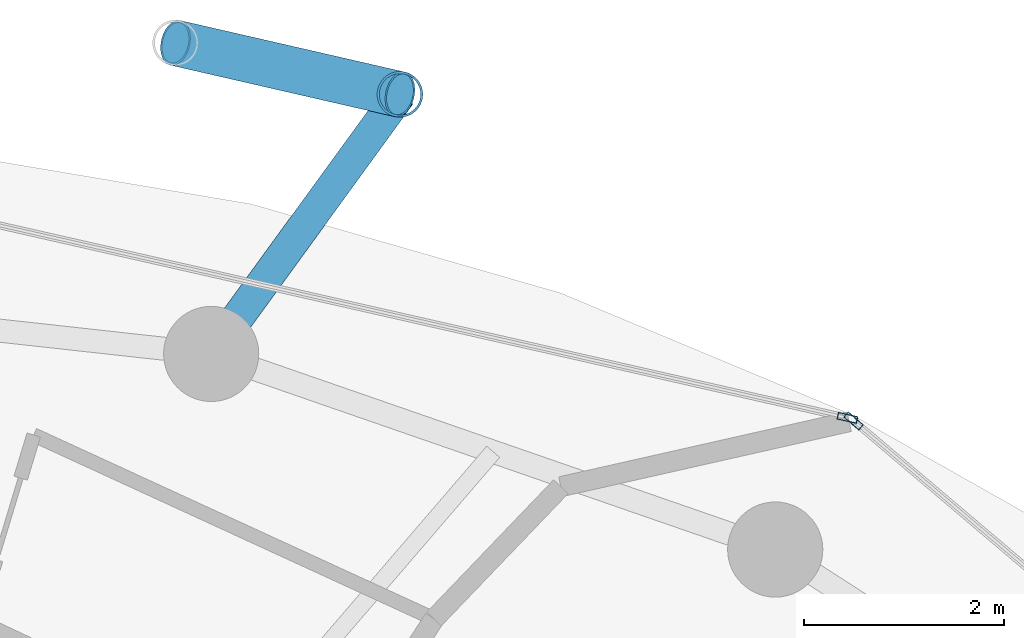
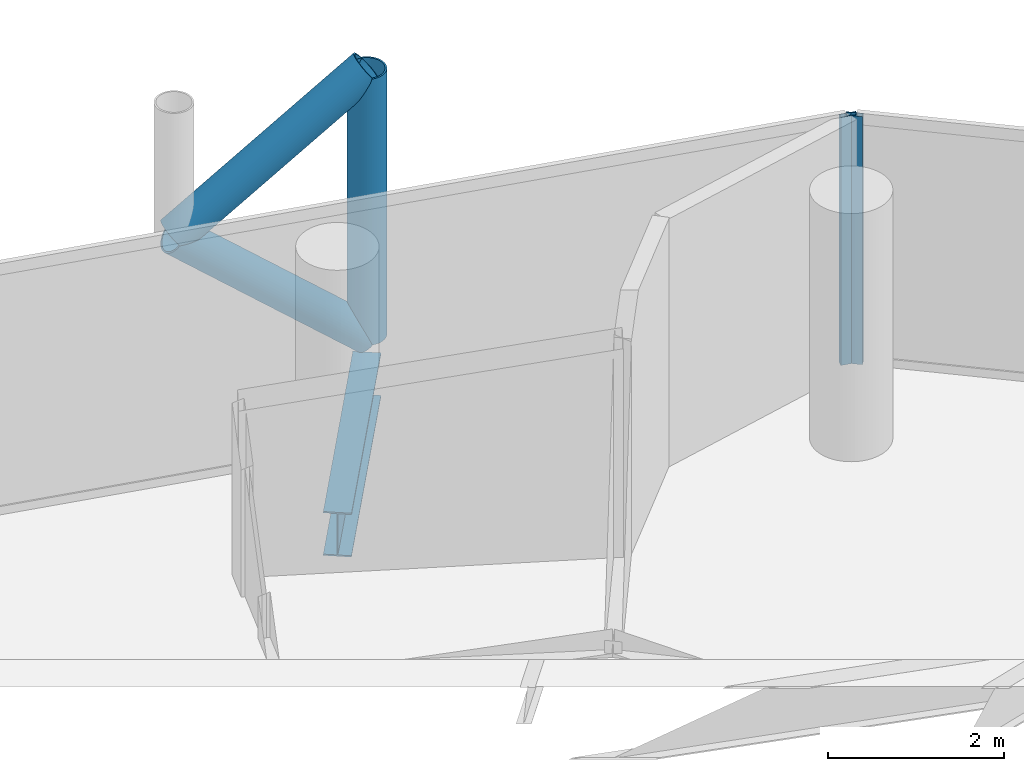
# One storey, part 20 of 26: 5 members, 1 beam, 2 elements without a shape of their own.
"""IFC4 building model written with IfcOpenShell, lengths in metres."""

from ifc_helpers import new_model, si_unit, direction, frame, origin, origin_2d, place, context, subcontext, project, spatial, hollow_rectangle, hollow_circle, i_section, extrude, material, layer, layer_set, material_profile, profile_set, type_object, element, aggregate, save


model = new_model("IFC4")

# Units and contexts
model_context = context("Model", 3, precision=1e-05, world=origin(), true_north=direction((0.0, 1.0)))
body_context = subcontext(model_context, "Body", "Model", "MODEL_VIEW")
ifc_project = project(units=[si_unit("LENGTHUNIT", "METRE"), si_unit("AREAUNIT", "SQUARE_METRE"), si_unit("VOLUMEUNIT", "CUBIC_METRE"), si_unit("PLANEANGLEUNIT", "RADIAN"), si_unit("MASSUNIT", "GRAM", prefix="KILO")], contexts=[model_context])

# Site, building, storey
site_placement = place(None, origin())
site = spatial("IfcSite", under=ifc_project, at=site_placement, CompositionType="ELEMENT")
building_placement = place(site_placement, origin())
building = spatial("IfcBuilding", under=site, at=building_placement, Name="Nuhasar Tower", CompositionType="ELEMENT")
storey_placement = place(building_placement, frame((0.0, 0.0, 125.64990234375)))
storey = spatial("IfcBuildingStorey", under=building, at=storey_placement, Name="L29", CompositionType="ELEMENT", Elevation=125.64990234375)

# Beam
ifc_material_1 = material(Name="Steel S355", Category="steel")
ifc_material_profile_1 = material_profile(ifc_material_1, i_section(OverallWidth=0.323974609375, OverallDepth=0.611083984375, WebThickness=0.0126953125, FlangeThickness=0.01904296875, at=origin_2d()), Name="W24X104")
ifc_profile_set_1 = profile_set([ifc_material_profile_1], Name="Steel S355")
beam_type = type_object("IfcBeamType", Name="BM-TIE-W24X104", PredefinedType="BEAM", material=ifc_profile_set_1)
beam_placement = place(storey_placement, frame((45.04296875, 45.68408203125, -0.554931640625), z_axis=(0.588185286445, 0.808726201387, 0.0), x_axis=(-0.808726201387, 0.588185286445, 0.0)))
element("IfcBeam", 1, at=beam_placement, inside=storey, type_object=beam_type, Name="L29 Exoskeleton Node Tie Beam 03", PredefinedType="BEAM", context=body_context, shape_type="SweptSolid", body=[
    extrude(i_section(OverallWidth=0.323974609375, OverallDepth=0.611083984375, WebThickness=0.0126953125, FlangeThickness=0.01904296875, at=origin_2d()), origin(), (0.0, 0.0, 1.0), 3.204833984375),
])

# Curtain wall, member
ifc_material_2 = material(Name="Aluminium 6063-T6", Category="aluminium")
ifc_layer = layer(ifc_material_2, 0.199951171875)
ifc_layer_set = layer_set([ifc_layer], Name="Aluminium 6063-T6")
curtain_wall_type = type_object("IfcCurtainWallType", Name="CW-Z2-HTL", PredefinedType="NOTDEFINED", material=ifc_layer_set)
curtain_wall_1_placement = place(storey_placement, origin())
curtain_wall_1 = element("IfcCurtainWall", 2, at=curtain_wall_1_placement, inside=storey, type_object=curtain_wall_type, Name="L29 Unitised Curtain Wall 02", PredefinedType="NOTDEFINED")
ifc_material_profile_2 = material_profile(ifc_material_2, hollow_rectangle(XDim=0.070068359375, YDim=0.199951171875, WallThickness=0.0048828125, at=origin_2d()), Name="CWM-3")
ifc_profile_set_2 = profile_set([ifc_material_profile_2], Name="Aluminium 6063-T6")
member_type_1 = type_object("IfcMemberType", Name="CW-MUL-S3", PredefinedType="MULLION", material=ifc_profile_set_2)
member_1_placement = place(storey_placement, frame((51.456787109375, 45.015380859375, 0.0), z_axis=(0.0, 0.0, 1.0), x_axis=(-0.646374438324, -0.763020370292, 0.0)))
member_1 = element("IfcMember", 3, at=member_1_placement, type_object=member_type_1, Name="CW-Z2 mullion 2", PredefinedType="MULLION", context=body_context, shape_type="SweptSolid", body=[
    extrude(hollow_rectangle(XDim=0.070068359375, YDim=0.199951171875, WallThickness=0.0048828125, at=origin_2d()), origin(), (0.0, 0.0, 1.0), 3.4501953125),
])
aggregate(curtain_wall_1, [member_1])

curtain_wall_2_placement = place(storey_placement, origin())
curtain_wall_2 = element("IfcCurtainWall", 4, at=curtain_wall_2_placement, inside=storey, type_object=curtain_wall_type, Name="L29 Unitised Curtain Wall 03", PredefinedType="NOTDEFINED")
member_2_placement = place(storey_placement, frame((51.395751953125, 45.045654296875, 0.0), z_axis=(0.0, 0.0, 1.0), x_axis=(-0.22139729566, -0.975183694221, 0.0)))
member_2 = element("IfcMember", 5, at=member_2_placement, type_object=member_type_1, Name="CW-Z2 mullion 1", PredefinedType="MULLION", context=body_context, shape_type="SweptSolid", body=[
    extrude(hollow_rectangle(XDim=0.070068359375, YDim=0.199951171875, WallThickness=0.0048828125, at=origin_2d()), origin(), (0.0, 0.0, 1.0), 3.4501953125),
])
aggregate(curtain_wall_2, [member_2])

# Members
ifc_material_3 = material(Name="Steel S460", Category="steel")
ifc_material_profile_3 = material_profile(ifc_material_3, hollow_circle(Radius=0.228515625, WallThickness=0.022216796875, at=origin_2d()), Name="HSS457X22.2")
ifc_profile_set_3 = profile_set([ifc_material_profile_3], Name="Steel S460")
member_type_2 = type_object("IfcMemberType", Name="EXO-BRONZE-457", PredefinedType="BRACE", material=ifc_profile_set_3)
member_3_placement = place(storey_placement, frame((46.927978515625, 48.27587890625, 0.0), z_axis=(0.0, 0.0, 1.0), x_axis=(1.0, 0.0, 0.0)))
element("IfcMember", 6, at=member_3_placement, inside=storey, type_object=member_type_2, Name="L29 Exoskeleton Chord Column EC-03A", PredefinedType="BRACE", context=body_context, shape_type="SweptSolid", body=[
    extrude(hollow_circle(Radius=0.228515625, WallThickness=0.022216796875, at=origin_2d()), origin(), (0.0, 0.0, 1.0), 3.7001953125),
])
for number, where, z_axis, x_axis, name in (
    (7, (46.927978515625, 48.27587890625, 0.0), (-0.759499549084, 0.174181209885, 0.626754609927), (-0.223533724104, -0.974696195842, 0.0), "L29 Bronze Diagrid Brace W1-03"),
    (8, (44.68603515625, 48.7900390625, 1.85009765625), (0.759499549084, -0.174181209885, 0.626754609927), (0.223533724104, 0.974696195842, 0.0), "L29 Bronze Diagrid Brace W2-03"),
):
    element("IfcMember", number, at=place(storey_placement, frame(where, z_axis=z_axis, x_axis=x_axis)), inside=storey, type_object=member_type_2, Name=name, PredefinedType="BRACE", context=body_context, shape_type="SweptSolid", body=[
        extrude(hollow_circle(Radius=0.228515625, WallThickness=0.022216796875, at=origin_2d()), origin(), (0.0, 0.0, 1.0), 2.951904296875),
    ])

save(model, "model.ifc")
